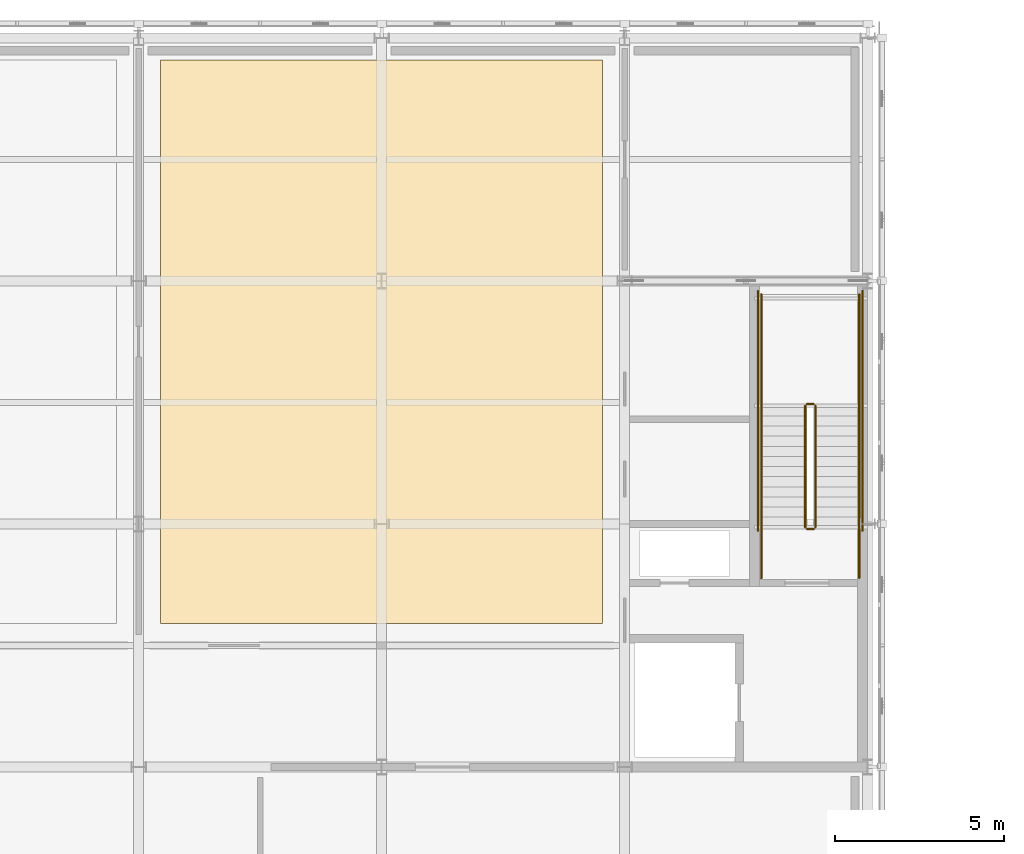
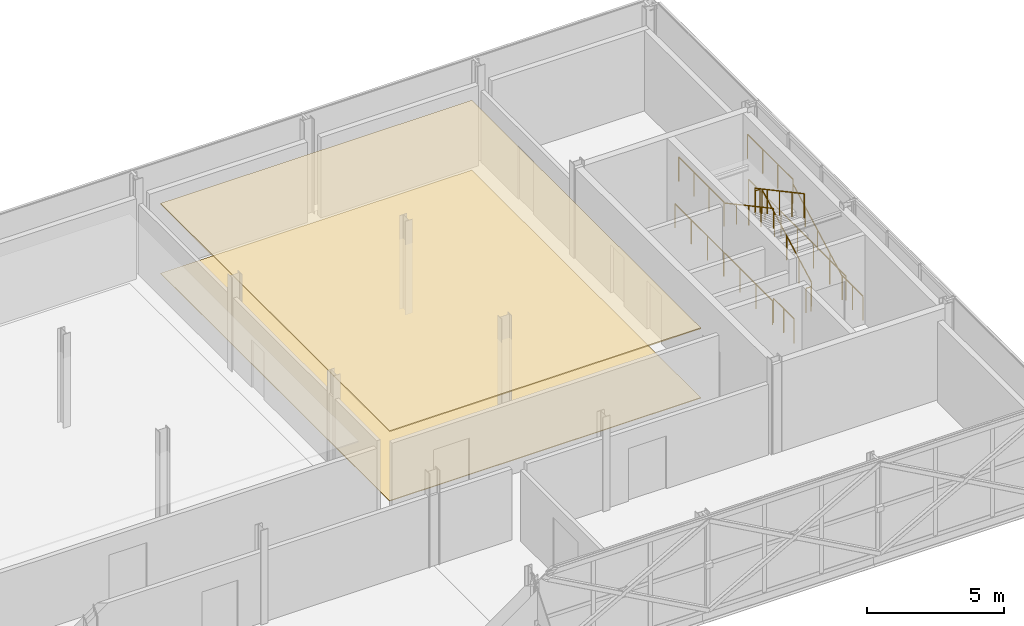
# One storey, part 143 of 146: 12 railings, 2 coverings.
"""IFC4 building model written with IfcOpenShell, lengths in metres."""

from ifc_helpers import new_model, si_unit, direction, frame, origin, origin_2d, place, context, subcontext, project, spatial, polyline, circle, outline, extrude, material, layer, layer_set, type_object, element, save


model = new_model("IFC4")

# Units and contexts
model_context = context("Model", 3, precision=1e-05, world=origin(), true_north=direction((0.0, 1.0)))
body_context = subcontext(model_context, "Body", "Model", "MODEL_VIEW")
ifc_project = project(units=[si_unit("LENGTHUNIT", "METRE"), si_unit("AREAUNIT", "SQUARE_METRE"), si_unit("VOLUMEUNIT", "CUBIC_METRE"), si_unit("PLANEANGLEUNIT", "RADIAN"), si_unit("MASSUNIT", "GRAM", prefix="KILO")], contexts=[model_context])

# Site, building, storey
site_placement = place(None, origin())
site = spatial("IfcSite", under=ifc_project, at=site_placement, CompositionType="ELEMENT")
building_placement = place(site_placement, origin())
building = spatial("IfcBuilding", under=site, at=building_placement, Name="Zlatovets Crest Museum", CompositionType="ELEMENT")
storey_placement = place(building_placement, frame((0.0, 0.0, 4.5)))
storey = spatial("IfcBuildingStorey", under=building, at=storey_placement, Name="L01", CompositionType="ELEMENT", Elevation=4.5)

# Coverings
ifc_material_1 = material(Name="Micro-perforated gypsum acoustic gallery ceiling")
ifc_layer_1 = layer(ifc_material_1, 0.050048828125)
ifc_layer_set_1 = layer_set([ifc_layer_1], Name="Micro-perforated gypsum acoustic gallery ceiling")
covering_type_1 = type_object("IfcCoveringType", Name="GalleryCeiling_CLG1", PredefinedType="CEILING", material=ifc_layer_set_1)
covering_1_placement = place(storey_placement, frame((0.0, 0.0, 3.090087890625)))
element("IfcCovering", 1, at=covering_1_placement, inside=storey, type_object=covering_type_1, Name="Secession Applied Arts Salon Acoustic Ceiling", PredefinedType="CEILING", context=body_context, shape_type="SweptSolid", body=[
    extrude(outline(polyline([(87.050048828125, 97.85009765625), (100.14990234375, 97.85009765625), (100.14990234375, 114.550048828125), (87.050048828125, 114.550048828125), (87.050048828125, 97.85009765625)])), origin(), (0.0, 0.0, 1.0), 0.0498046875),
])
ifc_material_2 = material(Name="Quarter-sawn European oak herringbone gallery parquet")
ifc_layer_2 = layer(ifc_material_2, 0.030029296875)
ifc_layer_set_2 = layer_set([ifc_layer_2], Name="Quarter-sawn European oak herringbone gallery parquet")
covering_type_2 = type_object("IfcCoveringType", Name="GalleryFloor_FLR1", PredefinedType="FLOORING", material=ifc_layer_set_2)
covering_2_placement = place(storey_placement, origin())
element("IfcCovering", 2, at=covering_2_placement, inside=storey, type_object=covering_type_2, Name="Secession Applied Arts Salon Floor Finish", PredefinedType="FLOORING", context=body_context, shape_type="SweptSolid", body=[
    extrude(outline(polyline([(87.050048828125, 97.85009765625), (100.14990234375, 97.85009765625), (100.14990234375, 114.550048828125), (87.050048828125, 114.550048828125), (87.050048828125, 97.85009765625)])), origin(), (0.0, 0.0, 1.0), 0.030029296875),
])

# Railings
ifc_material_3 = material(Name="Painted steel safety guardrail", Category="steel")
railing_type_1 = type_object("IfcRailingType", Name="StairGuard_SG01", PredefinedType="GUARDRAIL", material=ifc_material_3)
railing_1_placement = place(storey_placement, frame((106.449951171875, 100.699951171875, 0.16162109375)))
element("IfcRailing", 3, at=railing_1_placement, inside=storey, type_object=railing_type_1, Name="L01 ST7 stair guard 1", PredefinedType="GUARDRAIL", context=body_context, shape_type="SweptSolid", body=[
    extrude(circle(Radius=0.02392578125, at=origin_2d()), frame((0.0, 0.0, 1.076171875), z_axis=(0.0, 0.880474934443, 0.474092701714), x_axis=(-1.0, 0.0, 0.0)), (0.0, 0.0, 1.0), 4.0888671875),
    extrude(circle(Radius=0.02099609375, at=origin_2d()), origin(), (0.0, 0.0, 1.0), 1.052001953125),
    extrude(circle(Radius=0.02099609375, at=origin_2d()), frame((0.0, 0.89990234375, 0.484619140625)), (0.0, 0.0, 1.0), 1.052001953125),
    extrude(circle(Radius=0.02099609375, at=origin_2d()), frame((0.0, 1.800048828125, 0.96923828125)), (0.0, 0.0, 1.0), 1.052001953125),
    extrude(circle(Radius=0.02099609375, at=origin_2d()), frame((0.0, 2.7001953125, 1.453857421875)), (0.0, 0.0, 1.0), 1.052001953125),
    extrude(circle(Radius=0.02099609375, at=origin_2d()), frame((0.0, 3.60009765625, 1.9384765625)), (0.0, 0.0, 1.0), 1.052001953125),
])
railing_2_placement = place(storey_placement, frame((106.39990234375, 104.35009765625, 2.10009765625)))
element("IfcRailing", 4, at=railing_2_placement, inside=storey, type_object=railing_type_1, Name="L01 ST7 stair guard 2", PredefinedType="GUARDRAIL", context=body_context, shape_type="SweptSolid", body=[
    extrude(circle(Radius=0.02392578125, at=origin_2d()), frame((0.0, 0.0, 1.076171875), z_axis=(-1.0, 0.0, 0.0), x_axis=(0.0, -1.0, 0.0)), (0.0, 0.0, 1.0), 0.199951171875),
    extrude(circle(Radius=0.02099609375, at=origin_2d()), origin(), (0.0, 0.0, 1.0), 1.052001953125),
    extrude(circle(Radius=0.02099609375, at=origin_2d()), frame((-0.199951171875, 0.0, 0.0)), (0.0, 0.0, 1.0), 1.052001953125),
])
for number, where, name in (
    (5, (107.75, 104.300048828125, 2.10009765625), "L01 ST7 stair guard 3"),
    (6, (104.85009765625, 104.300048828125, 2.10009765625), "L01 ST7 stair guard 4"),
):
    element("IfcRailing", number, at=place(storey_placement, frame(where)), inside=storey, type_object=railing_type_1, Name=name, PredefinedType="GUARDRAIL", context=body_context, shape_type="SweptSolid", body=[
        extrude(circle(Radius=0.02392578125, at=origin_2d()), frame((0.0, 0.0, 1.076171875), z_axis=(0.0, 1.0, 0.0), x_axis=(-1.0, 0.0, 0.0)), (0.0, 0.0, 1.0), 3.300048828125),
        extrude(circle(Radius=0.02099609375, at=origin_2d()), origin(), (0.0, 0.0, 1.0), 1.052001953125),
        extrude(circle(Radius=0.02099609375, at=origin_2d()), frame((0.0, 1.10009765625, 0.0)), (0.0, 0.0, 1.0), 1.052001953125),
        extrude(circle(Radius=0.02099609375, at=origin_2d()), frame((0.0, 2.199951171875, 0.0)), (0.0, 0.0, 1.0), 1.052001953125),
        extrude(circle(Radius=0.02099609375, at=origin_2d()), frame((0.0, 3.300048828125, 0.0)), (0.0, 0.0, 1.0), 1.052001953125),
    ])
railing_3_placement = place(storey_placement, frame((106.14990234375, 104.300048828125, 2.261474609375)))
element("IfcRailing", 7, at=railing_3_placement, inside=storey, type_object=railing_type_1, Name="L01 ST7 stair guard 5", PredefinedType="GUARDRAIL", context=body_context, shape_type="SweptSolid", body=[
    extrude(circle(Radius=0.02392578125, at=origin_2d()), frame((0.0, 0.0, 1.076171875), z_axis=(0.0, -0.880474934443, 0.474092701714), x_axis=(1.0, 0.0, 0.0)), (0.0, 0.0, 1.0), 4.0888671875),
    extrude(circle(Radius=0.02099609375, at=origin_2d()), origin(), (0.0, 0.0, 1.0), 1.052001953125),
    extrude(circle(Radius=0.02099609375, at=origin_2d()), frame((0.0, -0.89990234375, 0.484619140625)), (0.0, 0.0, 1.0), 1.052001953125),
    extrude(circle(Radius=0.02099609375, at=origin_2d()), frame((0.0, -1.800048828125, 0.96923828125)), (0.0, 0.0, 1.0), 1.052001953125),
    extrude(circle(Radius=0.02099609375, at=origin_2d()), frame((0.0, -2.7001953125, 1.453857421875)), (0.0, 0.0, 1.0), 1.052001953125),
    extrude(circle(Radius=0.02099609375, at=origin_2d()), frame((0.0, -3.60009765625, 1.9384765625)), (0.0, 0.0, 1.0), 1.052001953125),
])
railing_4_placement = place(storey_placement, frame((106.39990234375, 100.64990234375, 0.0)))
element("IfcRailing", 8, at=railing_4_placement, inside=storey, type_object=railing_type_1, Name="L01 ST7 stair guard 6", PredefinedType="GUARDRAIL", context=body_context, shape_type="SweptSolid", body=[
    extrude(circle(Radius=0.02392578125, at=origin_2d()), frame((0.0, 0.0, 1.076171875), z_axis=(-1.0, 0.0, 0.0), x_axis=(0.0, -1.0, 0.0)), (0.0, 0.0, 1.0), 0.199951171875),
    extrude(circle(Radius=0.02099609375, at=origin_2d()), origin(), (0.0, 0.0, 1.0), 1.052001953125),
    extrude(circle(Radius=0.02099609375, at=origin_2d()), frame((-0.199951171875, 0.0, 0.0)), (0.0, 0.0, 1.0), 1.052001953125),
])
for number, where, name in (
    (9, (107.75, 99.199951171875, 0.0), "L01 ST7 stair guard 7"),
    (10, (104.85009765625, 99.199951171875, 0.0), "L01 ST7 stair guard 8"),
):
    element("IfcRailing", number, at=place(storey_placement, frame(where)), inside=storey, type_object=railing_type_1, Name=name, PredefinedType="GUARDRAIL", context=body_context, shape_type="SweptSolid", body=[
        extrude(circle(Radius=0.02392578125, at=origin_2d()), frame((0.0, 0.0, 1.076171875), z_axis=(0.0, 1.0, 0.0), x_axis=(-1.0, 0.0, 0.0)), (0.0, 0.0, 1.0), 1.5),
        extrude(circle(Radius=0.02099609375, at=origin_2d()), origin(), (0.0, 0.0, 1.0), 1.052001953125),
        extrude(circle(Radius=0.02099609375, at=origin_2d()), frame((0.0, 0.75, 0.0)), (0.0, 0.0, 1.0), 1.052001953125),
        extrude(circle(Radius=0.02099609375, at=origin_2d()), frame((0.0, 1.5, 0.0)), (0.0, 0.0, 1.0), 1.052001953125),
    ])
for number, where, name in (
    (11, (107.85009765625, 100.60009765625, 0.0), "L01 ST7 stair guard 9"),
    (12, (104.75, 100.60009765625, 0.0), "L01 ST7 stair guard 10"),
):
    element("IfcRailing", number, at=place(storey_placement, frame(where)), inside=storey, type_object=railing_type_1, Name=name, PredefinedType="GUARDRAIL", context=body_context, shape_type="SweptSolid", body=[
        extrude(circle(Radius=0.02392578125, at=origin_2d()), frame((0.0, 0.0, 1.076171875), z_axis=(0.0, 1.0, 0.0), x_axis=(-1.0, 0.0, 0.0)), (0.0, 0.0, 1.0), 7.099853515625),
        extrude(circle(Radius=0.02099609375, at=origin_2d()), origin(), (0.0, 0.0, 1.0), 1.052001953125),
        extrude(circle(Radius=0.02099609375, at=origin_2d()), frame((0.0, 1.183349609375, 0.0)), (0.0, 0.0, 1.0), 1.052001953125),
        extrude(circle(Radius=0.02099609375, at=origin_2d()), frame((0.0, 2.36669921875, 0.0)), (0.0, 0.0, 1.0), 1.052001953125),
        extrude(circle(Radius=0.02099609375, at=origin_2d()), frame((0.0, 3.5498046875, 0.0)), (0.0, 0.0, 1.0), 1.052001953125),
        extrude(circle(Radius=0.02099609375, at=origin_2d()), frame((0.0, 4.733154296875, 0.0)), (0.0, 0.0, 1.0), 1.052001953125),
        extrude(circle(Radius=0.02099609375, at=origin_2d()), frame((0.0, 5.91650390625, 0.0)), (0.0, 0.0, 1.0), 1.052001953125),
        extrude(circle(Radius=0.02099609375, at=origin_2d()), frame((0.0, 7.099853515625, 0.0)), (0.0, 0.0, 1.0), 1.052001953125),
    ])
ifc_material_4 = material(Name="Brushed bronze stair handrail")
railing_type_2 = type_object("IfcRailingType", Name="StairHandrail_SH01", PredefinedType="HANDRAIL", material=ifc_material_4)
railing_5_placement = place(storey_placement, frame((107.75, 100.699951171875, 0.16162109375)))
element("IfcRailing", 13, at=railing_5_placement, inside=storey, type_object=railing_type_2, Name="L01 ST7 stair handrail 1", PredefinedType="HANDRAIL", context=body_context, shape_type="SweptSolid", body=[
    extrude(circle(Radius=0.02392578125, at=origin_2d()), frame((0.0, 0.0, 0.8759765625), z_axis=(0.0, 0.880474934443, 0.474092701714), x_axis=(-1.0, 0.0, 0.0)), (0.0, 0.0, 1.0), 4.0888671875),
    extrude(circle(Radius=0.02099609375, at=origin_2d()), origin(), (0.0, 0.0, 1.0), 0.851806640625),
    extrude(circle(Radius=0.02099609375, at=origin_2d()), frame((0.0, 0.89990234375, 0.484619140625)), (0.0, 0.0, 1.0), 0.851806640625),
    extrude(circle(Radius=0.02099609375, at=origin_2d()), frame((0.0, 1.800048828125, 0.96923828125)), (0.0, 0.0, 1.0), 0.851806640625),
    extrude(circle(Radius=0.02099609375, at=origin_2d()), frame((0.0, 2.7001953125, 1.453857421875)), (0.0, 0.0, 1.0), 0.851806640625),
    extrude(circle(Radius=0.02099609375, at=origin_2d()), frame((0.0, 3.60009765625, 1.9384765625)), (0.0, 0.0, 1.0), 0.851806640625),
])
railing_6_placement = place(storey_placement, frame((104.85009765625, 104.300048828125, 2.261474609375)))
element("IfcRailing", 14, at=railing_6_placement, inside=storey, type_object=railing_type_2, Name="L01 ST7 stair handrail 2", PredefinedType="HANDRAIL", context=body_context, shape_type="SweptSolid", body=[
    extrude(circle(Radius=0.02392578125, at=origin_2d()), frame((0.0, 0.0, 0.8759765625), z_axis=(0.0, -0.880474934443, 0.474092701714), x_axis=(1.0, 0.0, 0.0)), (0.0, 0.0, 1.0), 4.0888671875),
    extrude(circle(Radius=0.02099609375, at=origin_2d()), origin(), (0.0, 0.0, 1.0), 0.851806640625),
    extrude(circle(Radius=0.02099609375, at=origin_2d()), frame((0.0, -0.89990234375, 0.484619140625)), (0.0, 0.0, 1.0), 0.851806640625),
    extrude(circle(Radius=0.02099609375, at=origin_2d()), frame((0.0, -1.800048828125, 0.96923828125)), (0.0, 0.0, 1.0), 0.851806640625),
    extrude(circle(Radius=0.02099609375, at=origin_2d()), frame((0.0, -2.7001953125, 1.453857421875)), (0.0, 0.0, 1.0), 0.851806640625),
    extrude(circle(Radius=0.02099609375, at=origin_2d()), frame((0.0, -3.60009765625, 1.9384765625)), (0.0, 0.0, 1.0), 0.851806640625),
])

save(model, "model.ifc")
